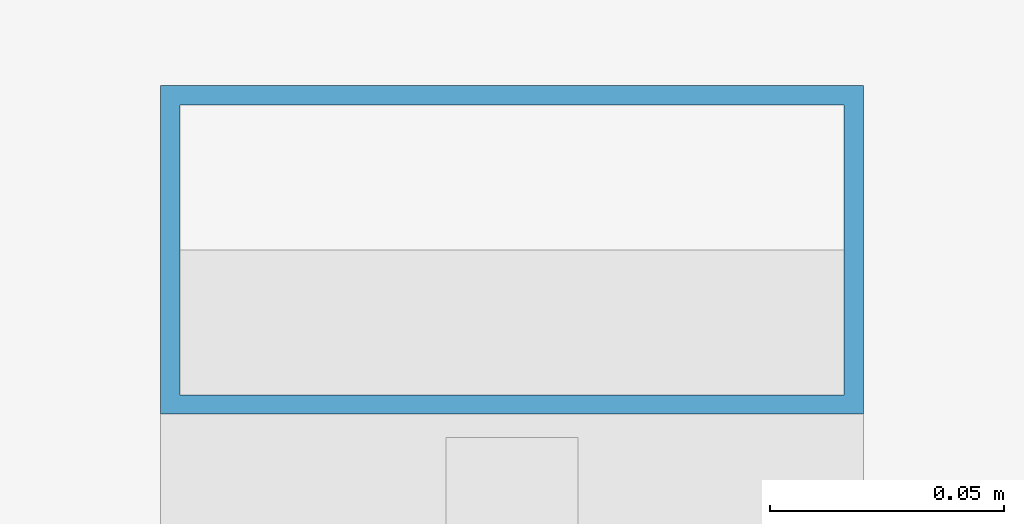
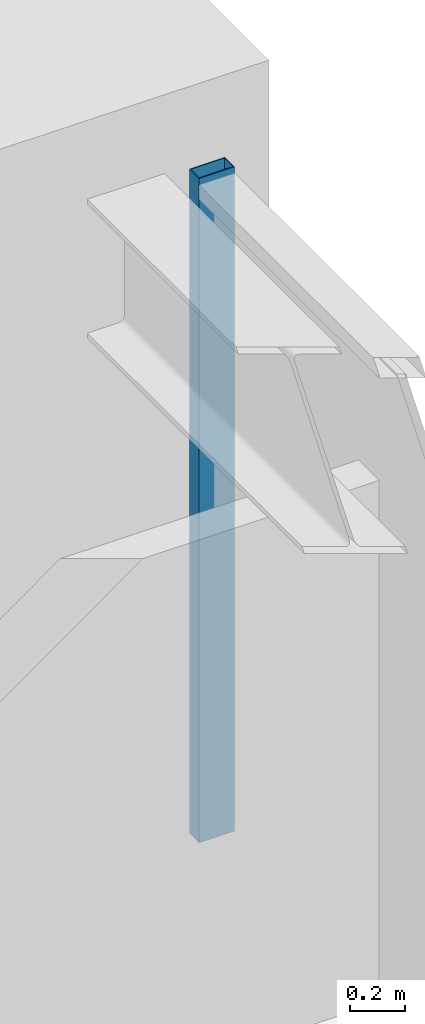
# One storey, part 25 of 38: 1 member, 1 element without a shape of its own.
"""IFC4 building model written with IfcOpenShell, lengths in metres."""

from ifc_helpers import new_model, si_unit, direction, frame, origin, origin_2d, place, context, subcontext, project, spatial, hollow_rectangle, extrude, material, material_profile, profile_set, type_object, element, aggregate, save


model = new_model("IFC4")

# Units and contexts
model_context = context("Model", 3, precision=1e-05, world=origin(), true_north=direction((0.0, 1.0)))
body_context = subcontext(model_context, "Body", "Model", "MODEL_VIEW")
ifc_project = project(units=[si_unit("LENGTHUNIT", "METRE"), si_unit("AREAUNIT", "SQUARE_METRE"), si_unit("VOLUMEUNIT", "CUBIC_METRE"), si_unit("PLANEANGLEUNIT", "RADIAN"), si_unit("MASSUNIT", "GRAM", prefix="KILO")], contexts=[model_context])

# Site, building, storey
site_placement = place(None, origin())
site = spatial("IfcSite", under=ifc_project, at=site_placement, CompositionType="ELEMENT")
building_placement = place(site_placement, origin())
building = spatial("IfcBuilding", under=site, at=building_placement, Name="Kolvaren Belvedere", CompositionType="ELEMENT")
storey_placement = place(building_placement, frame((0.0, 0.0, 60.10009765625)))
storey = spatial("IfcBuildingStorey", under=building, at=storey_placement, Name="L17", CompositionType="ELEMENT", Elevation=60.10009765625)

# Curtain wall, member
ifc_material_1 = material(Name="Anodised pale-metal aluminium AA 6063-T6", Category="aluminium")
curtain_wall_type = type_object("IfcCurtainWallType", Name="CW-Z1-LOW", PredefinedType="NOTDEFINED", material=ifc_material_1)
curtain_wall_placement = place(storey_placement, origin())
curtain_wall = element("IfcCurtainWall", 1, at=curtain_wall_placement, inside=storey, type_object=curtain_wall_type, Name="L17 Unitised Curtain Wall FCW-L17-E1-B1", PredefinedType="NOTDEFINED")
ifc_material_2 = material(Name="Anodised pale-metal aluminium AA 6063-T6", Category="aluminium")
ifc_material_profile = material_profile(ifc_material_2, hollow_rectangle(XDim=0.070068359375, YDim=0.14990234375, WallThickness=0.004150390625, at=origin_2d()), Name="ALU-MUL-150X70")
ifc_profile_set = profile_set([ifc_material_profile], Name="Anodised pale-metal aluminium AA 6063-T6")
member_type = type_object("IfcMemberType", Name="CW-MUL-150", PredefinedType="MULLION", material=ifc_profile_set)
member_placement = place(storey_placement, frame((21.8798828125, 13.7451171875, 0.0), z_axis=(0.0, 0.0, 1.0), x_axis=(0.0, 1.0, 0.0)))
member = element("IfcMember", 2, at=member_placement, type_object=member_type, Name="FCW-L17-E1-B1 Unitised Mullion 1", PredefinedType="MULLION", context=body_context, shape_type="SweptSolid", body=[
    extrude(hollow_rectangle(XDim=0.070068359375, YDim=0.14990234375, WallThickness=0.004150390625, at=origin_2d()), origin(), (0.0, 0.0, 1.0), 2.949951171875),
])
aggregate(curtain_wall, [member])

save(model, "model.ifc")
